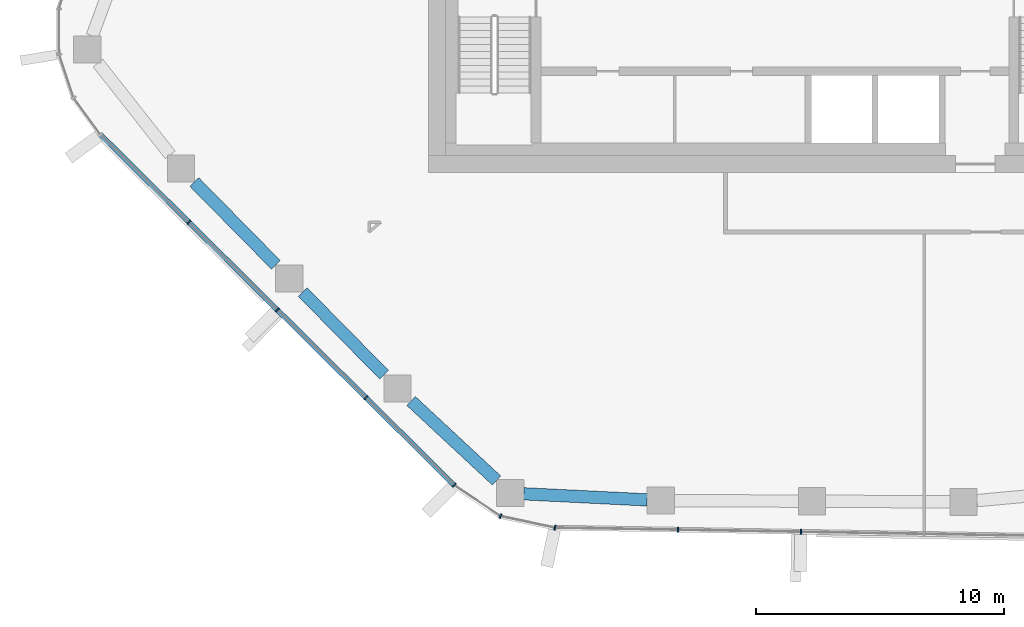
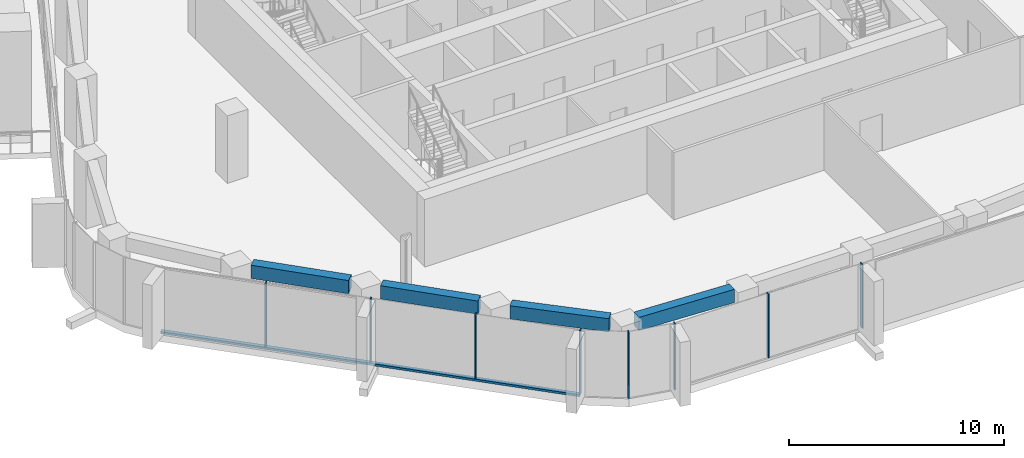
# One storey, part 2 of 22: 9 members, 4 beams, 3 elements without a shape of their own.
"""IFC4 building model written with IfcOpenShell, lengths in metres."""

from ifc_helpers import new_model, si_unit, direction, frame, origin, origin_2d, place, context, subcontext, project, spatial, rectangle, extrude, material, layer, layer_set, material_profile, profile_set, type_object, element, aggregate, save


model = new_model("IFC4")

# Units and contexts
model_context = context("Model", 3, precision=1e-05, world=origin(), true_north=direction((0.0, 1.0)))
body_context = subcontext(model_context, "Body", "Model", "MODEL_VIEW")
ifc_project = project(units=[si_unit("LENGTHUNIT", "METRE"), si_unit("AREAUNIT", "SQUARE_METRE"), si_unit("VOLUMEUNIT", "CUBIC_METRE"), si_unit("PLANEANGLEUNIT", "RADIAN"), si_unit("MASSUNIT", "GRAM", prefix="KILO")], contexts=[model_context])

# Site, building, storey
site_placement = place(None, origin())
site = spatial("IfcSite", under=ifc_project, at=site_placement, CompositionType="ELEMENT")
building_placement = place(site_placement, origin())
building = spatial("IfcBuilding", under=site, at=building_placement, Name="Dongbaek Canopy Tower", CompositionType="ELEMENT")
storey_placement = place(building_placement, frame((0.0, 0.0, 237.0)))
storey = spatial("IfcBuildingStorey", under=building, at=storey_placement, Name="L49", CompositionType="ELEMENT", Elevation=237.0)

# Curtain wall, members
ifc_material_1 = material(Name="Aluminium 6063-T6 pale anodised", Category="aluminium")
ifc_layer = layer(ifc_material_1, 0.199951171875)
ifc_layer_set = layer_set([ifc_layer], Name="CW-1 unitised tower curtain wall")
curtain_wall_type = type_object("IfcCurtainWallType", Name="CW-1 unitised tower curtain wall", PredefinedType="NOTDEFINED", material=ifc_layer_set)
curtain_wall_1_placement = place(storey_placement, origin())
curtain_wall_1 = element("IfcCurtainWall", 1, at=curtain_wall_1_placement, inside=storey, type_object=curtain_wall_type, Name="CW-1 curtain wall F3.1", PredefinedType="NOTDEFINED")
ifc_material_2 = material(Name="Aluminium 6063-T6 pale anodised", Category="aluminium")
ifc_material_profile_1 = material_profile(ifc_material_2, rectangle(XDim=0.199951171875, YDim=0.06005859375, at=origin_2d()), Name="CW-1 mullion 60 x 200")
ifc_profile_set_1 = profile_set([ifc_material_profile_1], Name="Aluminium 6063-T6 pale anodised")
member_type_1 = type_object("IfcMemberType", Name="CW-1 mullion 60 x 200", PredefinedType="MULLION", material=ifc_profile_set_1)
member_1_placement = place(storey_placement, frame((-23.6748046875, -13.00146484375, 0.1201171875), z_axis=(0.0, 0.0, 1.0), x_axis=(-0.704037952942, -0.710162348211, 0.0)))
member_1 = element("IfcMember", 2, at=member_1_placement, type_object=member_type_1, Name="CW-1 mullion F3.1.2", PredefinedType="MULLION", context=body_context, shape_type="SweptSolid", body=[
    extrude(rectangle(XDim=0.199951171875, YDim=0.06005859375, at=origin_2d()), origin(), (0.0, 0.0, 1.0), 3.6298828125),
])
member_2_placement = place(storey_placement, frame((-20.10009765625, -16.54541015625, 0.1201171875), z_axis=(0.0, 0.0, 1.0), x_axis=(-0.704037952942, -0.710162348211, 0.0)))
member_2 = element("IfcMember", 3, at=member_2_placement, type_object=member_type_1, Name="CW-1 mullion F3.1.3", PredefinedType="MULLION", context=body_context, shape_type="SweptSolid", body=[
    extrude(rectangle(XDim=0.199951171875, YDim=0.06005859375, at=origin_2d()), origin(), (0.0, 0.0, 1.0), 3.6298828125),
])
member_3_placement = place(storey_placement, frame((-16.525390625, -20.089111328125, 0.1201171875), z_axis=(0.0, 0.0, 1.0), x_axis=(-0.704037952942, -0.710162348211, 0.0)))
member_3 = element("IfcMember", 4, at=member_3_placement, type_object=member_type_1, Name="CW-1 mullion F3.1.4", PredefinedType="MULLION", context=body_context, shape_type="SweptSolid", body=[
    extrude(rectangle(XDim=0.199951171875, YDim=0.06005859375, at=origin_2d()), origin(), (0.0, 0.0, 1.0), 3.6298828125),
])
member_4_placement = place(storey_placement, frame((-12.957763671875, -23.626220703125, 0.1201171875), z_axis=(0.0, 0.0, 1.0), x_axis=(-0.704037952942, -0.710162348211, 0.0)))
member_4 = element("IfcMember", 5, at=member_4_placement, type_object=member_type_1, Name="CW-1 mullion F3.1.5", PredefinedType="MULLION", context=body_context, shape_type="SweptSolid", body=[
    extrude(rectangle(XDim=0.199951171875, YDim=0.06005859375, at=origin_2d()), origin(), (0.0, 0.0, 1.0), 3.6298828125),
])

curtain_wall_2_placement = place(storey_placement, origin())
curtain_wall_2 = element("IfcCurtainWall", 6, at=curtain_wall_2_placement, inside=storey, type_object=curtain_wall_type, Name="CW-1 curtain wall K4.1", PredefinedType="NOTDEFINED")
member_5_placement = place(storey_placement, frame((-11.088623046875, -24.877685546875, 0.0), z_axis=(0.0, 0.0, 1.0), x_axis=(-0.388525428592, -0.921438001896, 0.0)))
member_5 = element("IfcMember", 7, at=member_5_placement, type_object=member_type_1, Name="CW-1 mullion K4.1.2", PredefinedType="MULLION", context=body_context, shape_type="SweptSolid", body=[
    extrude(rectangle(XDim=0.199951171875, YDim=0.06005859375, at=origin_2d()), origin(), (0.0, 0.0, 1.0), 3.75),
])
member_6_placement = place(storey_placement, frame((-8.8876953125, -25.34228515625, 0.0), z_axis=(0.0, 0.0, 1.0), x_axis=(-0.206515518802, -0.978443325131, 0.0)))
member_6 = element("IfcMember", 8, at=member_6_placement, type_object=member_type_1, Name="CW-1 mullion K4.1.3", PredefinedType="MULLION", context=body_context, shape_type="SweptSolid", body=[
    extrude(rectangle(XDim=0.199951171875, YDim=0.06005859375, at=origin_2d()), origin(), (0.0, 0.0, 1.0), 3.75),
])
aggregate(curtain_wall_2, [member_5, member_6])

curtain_wall_3_placement = place(storey_placement, origin())
curtain_wall_3 = element("IfcCurtainWall", 9, at=curtain_wall_3_placement, inside=storey, type_object=curtain_wall_type, Name="CW-1 curtain wall F4.1", PredefinedType="NOTDEFINED")
member_7_placement = place(storey_placement, frame((-3.923095703125, -25.4267578125, 0.1201171875), z_axis=(0.0, 0.0, 1.0), x_axis=(-0.016993149743, -0.999855606006, 0.0)))
member_7 = element("IfcMember", 10, at=member_7_placement, type_object=member_type_1, Name="CW-1 mullion F4.1.2", PredefinedType="MULLION", context=body_context, shape_type="SweptSolid", body=[
    extrude(rectangle(XDim=0.199951171875, YDim=0.06005859375, at=origin_2d()), origin(), (0.0, 0.0, 1.0), 3.6298828125),
])
member_8_placement = place(storey_placement, frame((1.05126953125, -25.51123046875, 0.1201171875), z_axis=(0.0, 0.0, 1.0), x_axis=(-0.016993149743, -0.999855606006, 0.0)))
member_8 = element("IfcMember", 11, at=member_8_placement, type_object=member_type_1, Name="CW-1 mullion F4.1.3", PredefinedType="MULLION", context=body_context, shape_type="SweptSolid", body=[
    extrude(rectangle(XDim=0.199951171875, YDim=0.06005859375, at=origin_2d()), origin(), (0.0, 0.0, 1.0), 3.6298828125),
])
aggregate(curtain_wall_3, [member_7, member_8])

# Member
ifc_material_3 = material(Name="Aluminium 6063-T6 pale anodised", Category="aluminium")
ifc_material_profile_2 = material_profile(ifc_material_3, rectangle(XDim=0.199951171875, YDim=0.1201171875, at=origin_2d()), Name="CW-1 transom 120 x 200")
ifc_profile_set_2 = profile_set([ifc_material_profile_2], Name="Aluminium 6063-T6 pale anodised")
member_type_2 = type_object("IfcMemberType", Name="CW-1 transom 120 x 200", PredefinedType="USERDEFINED", material=ifc_profile_set_2)
member_9_placement = place(storey_placement, frame((-27.24365234375, -9.46337890625, 0.06005859375), z_axis=(0.710158527416, -0.704041806954, 0.0), x_axis=(0.704041806954, 0.710158527416, 0.0)))
member_9 = element("IfcMember", 12, at=member_9_placement, type_object=member_type_2, Name="CW-1 transom F3.1.1", ObjectType="TRANSOM", PredefinedType="USERDEFINED", context=body_context, shape_type="SweptSolid", body=[
    extrude(rectangle(XDim=0.199951171875, YDim=0.1201171875, at=origin_2d()), origin(), (0.0, 0.0, 1.0), 20.116455078125),
])

aggregate(curtain_wall_1, [member_1, member_2, member_3, member_4, member_9])

# Beams
ifc_material_4 = material(Name="Concrete C70", Category="concrete")
ifc_material_profile_3 = material_profile(ifc_material_4, rectangle(XDim=0.5, YDim=0.75, at=origin_2d()), Name="RC EDGE BEAM 500x750 C70")
ifc_profile_set_3 = profile_set([ifc_material_profile_3], Name="Concrete C70")
beam_type = type_object("IfcBeamType", Name="RC EDGE BEAM 500x750 C70", PredefinedType="BEAM", material=ifc_profile_set_3)
beam_1_placement = place(storey_placement, frame((-5.160888671875, -24.218994140625, 3.445068359375), z_axis=(-0.998786614333, 0.049247325106, 0.0), x_axis=(-0.049247325106, -0.998786614333, 0.0)))
element("IfcBeam", 13, at=beam_1_placement, inside=storey, type_object=beam_type, Name="EDGEBEAM:L49:03", PredefinedType="BEAM", context=body_context, shape_type="SweptSolid", body=[
    extrude(rectangle(XDim=0.5, YDim=0.75, at=origin_2d()), origin(), (0.0, 0.0, 1.0), 4.9921875),
])
beam_2_placement = place(storey_placement, frame((-11.2470703125, -23.434326171875, 3.445068359375), z_axis=(-0.732241423494, 0.681045151014, 0.0), x_axis=(-0.681045151014, -0.732241423494, 0.0)))
element("IfcBeam", 14, at=beam_2_placement, inside=storey, type_object=beam_type, Name="EDGEBEAM:L49:04", PredefinedType="BEAM", context=body_context, shape_type="SweptSolid", body=[
    extrude(rectangle(XDim=0.5, YDim=0.75, at=origin_2d()), origin(), (0.0, 0.0, 1.0), 4.71142578125),
])
beam_3_placement = place(storey_placement, frame((-15.788818359375, -19.1640625, 3.445068359375), z_axis=(-0.701699383964, 0.712473139525, 0.0), x_axis=(-0.712473139525, -0.701699383964, 0.0)))
element("IfcBeam", 15, at=beam_3_placement, inside=storey, type_object=beam_type, Name="EDGEBEAM:L49:05", PredefinedType="BEAM", context=body_context, shape_type="SweptSolid", body=[
    extrude(rectangle(XDim=0.5, YDim=0.75, at=origin_2d()), origin(), (0.0, 0.0, 1.0), 4.690673828125),
])
beam_4_placement = place(storey_placement, frame((-20.16357421875, -14.721923828125, 3.445068359375), z_axis=(-0.701621732034, 0.712549608896, 0.0), x_axis=(-0.712549608896, -0.701621732034, 0.0)))
element("IfcBeam", 16, at=beam_4_placement, inside=storey, type_object=beam_type, Name="EDGEBEAM:L49:06", PredefinedType="BEAM", context=body_context, shape_type="SweptSolid", body=[
    extrude(rectangle(XDim=0.5, YDim=0.75, at=origin_2d()), origin(), (0.0, 0.0, 1.0), 4.691650390625),
])

save(model, "model.ifc")
